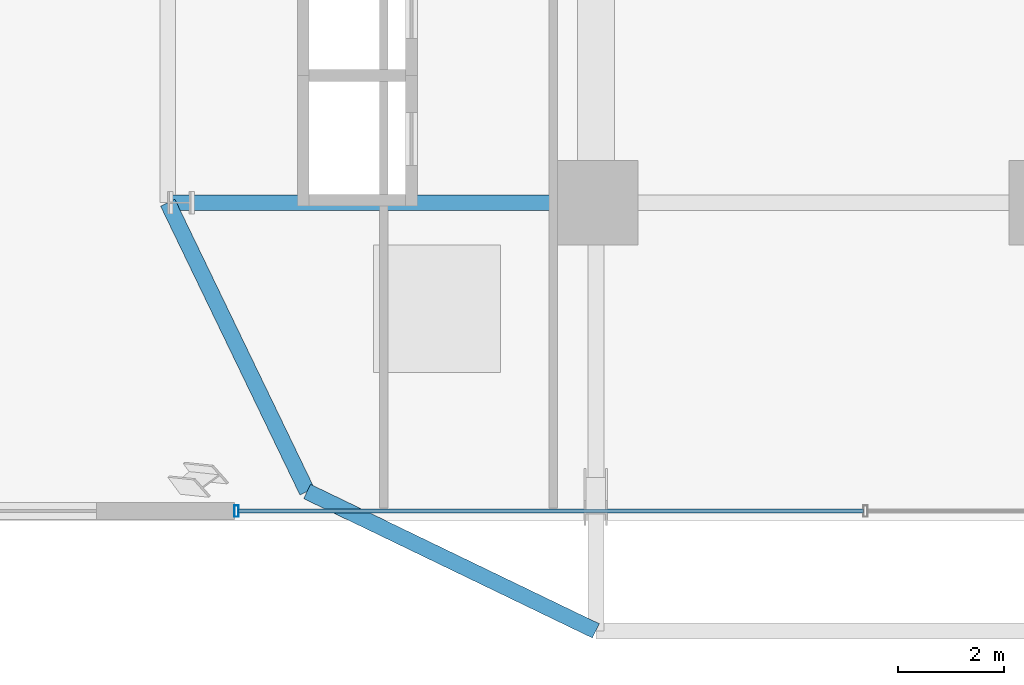
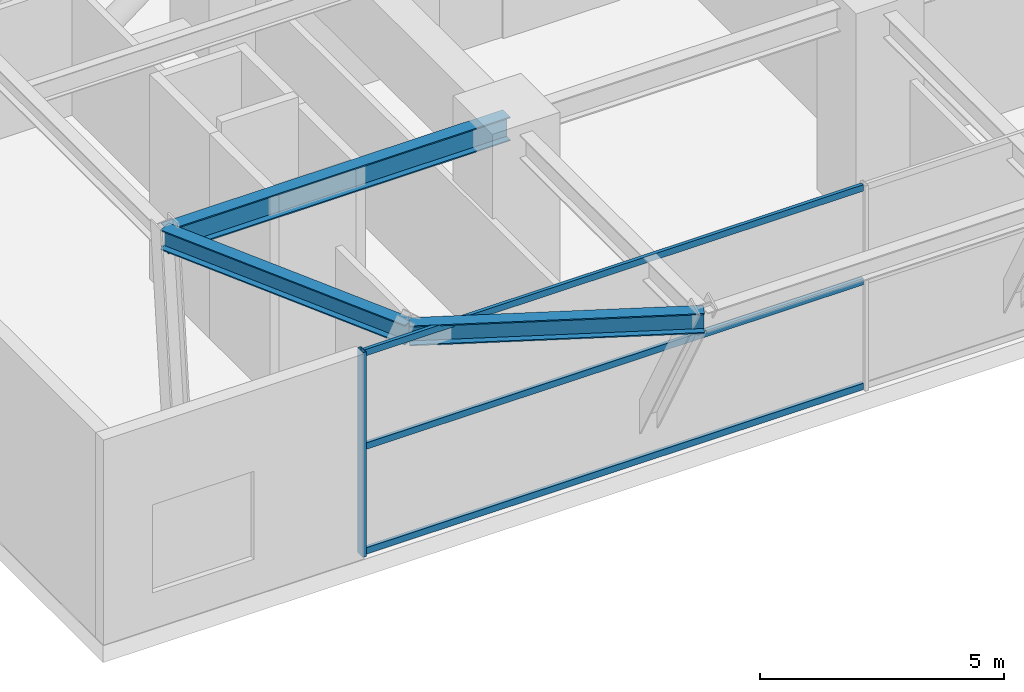
# One storey, part 2 of 29: 4 members, 3 beams, 1 element without a shape of its own.
"""IFC4 building model written with IfcOpenShell, lengths in metres."""

from ifc_helpers import new_model, si_unit, direction, frame, origin, origin_2d, place, context, subcontext, project, spatial, hollow_rectangle, i_section, extrude, source, transform, mapped, material, material_profile, profile_set, type_object, element, aggregate, save


model = new_model("IFC4")

# Units and contexts
model_context = context("Model", 3, precision=1e-05, world=origin(), true_north=direction((0.0, 1.0)))
body_context = subcontext(model_context, "Body", "Model", "MODEL_VIEW")
ifc_project = project(units=[si_unit("LENGTHUNIT", "METRE"), si_unit("AREAUNIT", "SQUARE_METRE"), si_unit("VOLUMEUNIT", "CUBIC_METRE"), si_unit("PLANEANGLEUNIT", "RADIAN"), si_unit("MASSUNIT", "GRAM", prefix="KILO")], contexts=[model_context])

# Site, building, storey
site_placement = place(None, origin())
site = spatial("IfcSite", under=ifc_project, at=site_placement, CompositionType="ELEMENT")
building_placement = place(site_placement, origin())
building = spatial("IfcBuilding", under=site, at=building_placement, Name="Nahalor Promenade Grand Hotel", CompositionType="ELEMENT")
storey_placement = place(building_placement, frame((0.0, 0.0, 27.0)))
storey = spatial("IfcBuildingStorey", under=building, at=storey_placement, Name="L05", CompositionType="ELEMENT", Elevation=27.0)

# Beams
ifc_material_1 = material(Name="Steel S355JR", Category="steel")
ifc_material_profile_1 = material_profile(ifc_material_1, i_section(OverallWidth=0.3, OverallDepth=0.6, WebThickness=0.0155, FlangeThickness=0.03, at=origin_2d()), Name="HEB 600")
ifc_profile_set_1 = profile_set([ifc_material_profile_1], Name="Steel S355JR")
beam_type_1 = type_object("IfcBeamType", Name="Beam-Girder-HEB600", PredefinedType="BEAM", material=ifc_profile_set_1)
shared_shape_1 = source(origin(), body_context, "Body", "SweptSolid", [
    extrude(i_section(OverallWidth=0.3, OverallDepth=0.6, WebThickness=0.0155, FlangeThickness=0.03, at=origin_2d()), origin(), (0.0, 0.0, 1.0), 8.080078125),
])
beam_placement = place(storey_placement, frame((-25.080078125, -17.0, 4.820068359375), z_axis=(1.0, 0.0, 0.0), x_axis=(0.0, 1.0, 0.0)))
element("IfcBeam", 1, at=beam_placement, inside=storey, type_object=beam_type_1, Name="BM-L05-GX-0-0", PredefinedType="BEAM", context=body_context, shape_type="MappedRepresentation", body=[
    mapped(shared_shape_1, transform((0.0, 0.0, 0.0), scale=1.0)),
])
ifc_material_profile_2 = material_profile(ifc_material_1, i_section(OverallWidth=0.3, OverallDepth=0.5, WebThickness=0.0145, FlangeThickness=0.028, at=origin_2d()), Name="HEB 500")
ifc_profile_set_2 = profile_set([ifc_material_profile_2], Name="Steel S355JR")
beam_type_2 = type_object("IfcBeamType", Name="Beam-Spandrel-HEB500", PredefinedType="SPANDREL", material=ifc_profile_set_2)
shared_shape_2 = source(origin(), body_context, "Body", "SweptSolid", [
    extrude(i_section(OverallWidth=0.3, OverallDepth=0.5, WebThickness=0.0145, FlangeThickness=0.028, at=origin_2d()), origin(), (0.0, 0.0, 1.0), 6.051513671875),
])
for number, where, z_axis, x_axis, name in (
    (2, (-17.0, -25.080078125, 4.8701171875), (-0.900608818852, 0.434630596492, 0.0), (-0.434630596492, -0.900608818852, 0.0), "BM-L05-SPC-SW-1"),
    (3, (-22.449951171875, -22.449951171875, 4.8701171875), (-0.434630596492, 0.900608818852, 0.0), (-0.900608818852, -0.434630596492, 0.0), "BM-L05-SPC-SW-2"),
):
    element("IfcBeam", number, at=place(storey_placement, frame(where, z_axis=z_axis, x_axis=x_axis)), inside=storey, type_object=beam_type_2, Name=name, PredefinedType="SPANDREL", context=body_context, shape_type="MappedRepresentation", body=[
        mapped(shared_shape_2, transform((0.0, 0.0, 0.0), scale=1.0)),
    ])

# Curtain wall, members
ifc_material_2 = material(Name="Anodised Bronze Aluminium EN AW-6063 T6", Category="aluminium")
curtain_wall_type = type_object("IfcCurtainWallType", Name="CW1 Waterfront Podium Bronze Arcade Curtain Wall", PredefinedType="USERDEFINED", material=ifc_material_2)
curtain_wall_placement = place(storey_placement, origin())
curtain_wall = element("IfcCurtainWall", 4, at=curtain_wall_placement, inside=storey, type_object=curtain_wall_type, Name="L05 Curtain Wall CW-L05-S", ObjectType="UNITISED_CURTAIN_WALL", PredefinedType="USERDEFINED")
ifc_material_profile_3 = material_profile(ifc_material_2, hollow_rectangle(XDim=0.08, YDim=0.22, WallThickness=0.005, at=origin_2d()), Name="CWM 80x220x5")
ifc_profile_set_3 = profile_set([ifc_material_profile_3], Name="Anodised Bronze Aluminium EN AW-6063 T6")
member_type_1 = type_object("IfcMemberType", Name="CWM1 Podium Bronze Mullion 80x220", PredefinedType="MULLION", material=ifc_profile_set_3)
shared_shape_3 = source(origin(), body_context, "Body", "SweptSolid", [
    extrude(hollow_rectangle(XDim=0.08, YDim=0.22, WallThickness=0.005, at=origin_2d()), origin(), (0.0, 0.0, 1.0), 5.1201171875),
])
member_1_placement = place(storey_placement, frame((-23.780029296875, -22.820068359375, 0.0), z_axis=(0.0, 0.0, 1.0), x_axis=(1.0, 0.0, 0.0)))
member_1 = element("IfcMember", 5, at=member_1_placement, type_object=member_type_1, Name="CW-L05-S Mullion 0", PredefinedType="MULLION", context=body_context, shape_type="MappedRepresentation", body=[
    mapped(shared_shape_3, transform((0.0, 0.0, 0.0), scale=1.0)),
])
ifc_material_profile_4 = material_profile(ifc_material_2, hollow_rectangle(XDim=0.08, YDim=0.16, WallThickness=0.004, at=origin_2d()), Name="CWT 80x160x4")
ifc_profile_set_4 = profile_set([ifc_material_profile_4], Name="Anodised Bronze Aluminium EN AW-6063 T6")
member_type_2 = type_object("IfcMemberType", Name="CWT1 Podium Bronze Transom 80x160", PredefinedType="USERDEFINED", material=ifc_profile_set_4)
shared_shape_4 = source(origin(), body_context, "Body", "SweptSolid", [
    extrude(hollow_rectangle(XDim=0.08, YDim=0.16, WallThickness=0.004, at=origin_2d()), origin(), (0.0, 0.0, 1.0), 11.7900390625),
])
member_2_placement = place(storey_placement, frame((-23.739990234375, -22.820068359375, 0.080078125), z_axis=(1.0, 0.0, 0.0), x_axis=(0.0, 1.0, 0.0)))
member_2 = element("IfcMember", 6, at=member_2_placement, type_object=member_type_2, Name="CW-L05-S Transom 0-0", ObjectType="TRANSOM", PredefinedType="USERDEFINED", context=body_context, shape_type="MappedRepresentation", body=[
    mapped(shared_shape_4, transform((0.0, 0.0, 0.0), scale=1.0)),
])
member_3_placement = place(storey_placement, frame((-23.739990234375, -22.820068359375, 2.699951171875), z_axis=(1.0, 0.0, 0.0), x_axis=(0.0, 1.0, 0.0)))
member_3 = element("IfcMember", 7, at=member_3_placement, type_object=member_type_2, Name="CW-L05-S Transom 0-1", ObjectType="TRANSOM", PredefinedType="USERDEFINED", context=body_context, shape_type="MappedRepresentation", body=[
    mapped(shared_shape_4, transform((0.0, 0.0, 0.0), scale=1.0)),
])
member_4_placement = place(storey_placement, frame((-23.739990234375, -22.820068359375, 5.0400390625), z_axis=(1.0, 0.0, 0.0), x_axis=(0.0, 1.0, 0.0)))
member_4 = element("IfcMember", 8, at=member_4_placement, type_object=member_type_2, Name="CW-L05-S Transom 0-2", ObjectType="TRANSOM", PredefinedType="USERDEFINED", context=body_context, shape_type="MappedRepresentation", body=[
    mapped(shared_shape_4, transform((0.0, 0.0, 0.0), scale=1.0)),
])
aggregate(curtain_wall, [member_1, member_2, member_3, member_4])

save(model, "model.ifc")
